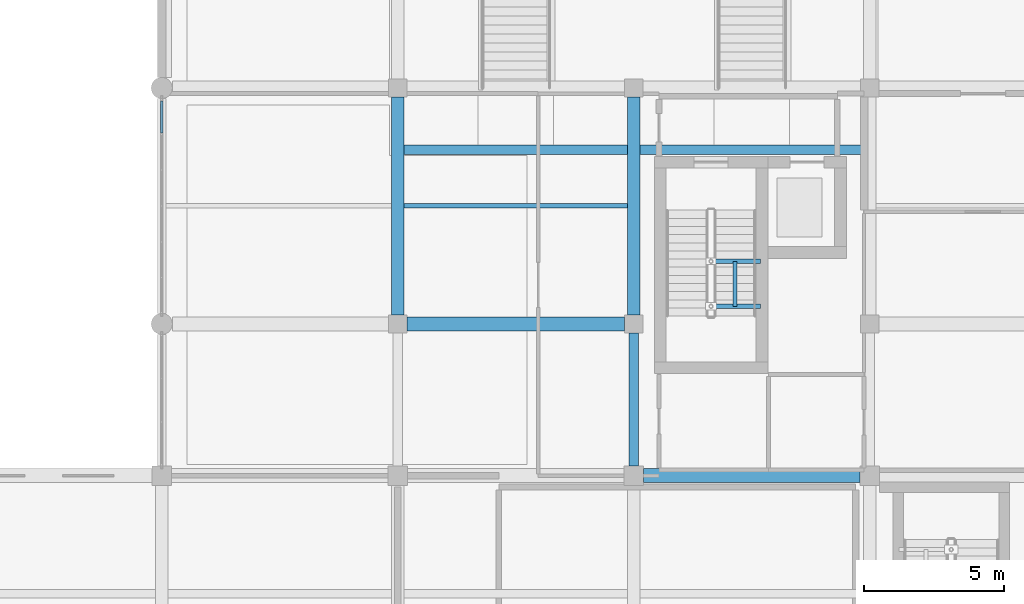
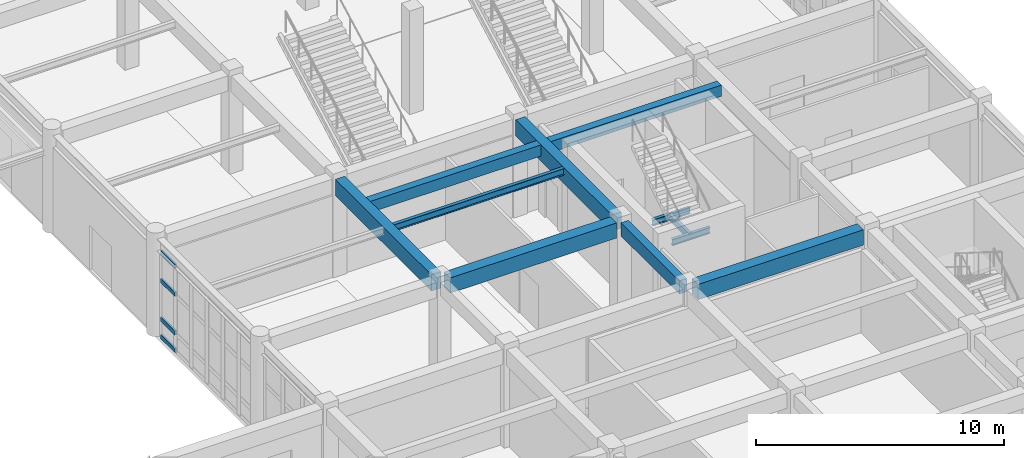
# One storey, part 19 of 80: 11 beams, 4 members, 1 element without a shape of its own.
"""IFC4 building model written with IfcOpenShell, lengths in metres."""

from ifc_helpers import new_model, si_unit, direction, frame, origin, origin_2d, place, context, subcontext, project, spatial, rectangle, hollow_rectangle, i_section, extrude, material, layer, layer_set, material_profile, profile_set, type_object, element, aggregate, save


model = new_model("IFC4")

# Units and contexts
model_context = context("Model", 3, precision=1e-05, world=origin(), true_north=direction((0.0, 1.0)))
body_context = subcontext(model_context, "Body", "Model", "MODEL_VIEW")
ifc_project = project(units=[si_unit("LENGTHUNIT", "METRE"), si_unit("AREAUNIT", "SQUARE_METRE"), si_unit("VOLUMEUNIT", "CUBIC_METRE"), si_unit("PLANEANGLEUNIT", "RADIAN"), si_unit("MASSUNIT", "GRAM", prefix="KILO")], contexts=[model_context])

# Site, building, storey
site_placement = place(None, origin())
site = spatial("IfcSite", under=ifc_project, at=site_placement, CompositionType="ELEMENT")
building_placement = place(site_placement, origin())
building = spatial("IfcBuilding", under=site, at=building_placement, Name="Krzemoval Escarpment Law Courts", CompositionType="ELEMENT")
storey_placement = place(building_placement, origin())
storey = spatial("IfcBuildingStorey", under=building, at=storey_placement, Name="L00", CompositionType="ELEMENT", Elevation=0.0)

# Beams
ifc_material_1 = material(Name="Concrete C40/50", Category="concrete")
ifc_material_profile_1 = material_profile(ifc_material_1, rectangle(XDim=0.35009765625, YDim=0.550048828125, at=origin_2d()), Name="RCB 350x550")
ifc_profile_set_1 = profile_set([ifc_material_profile_1], Name="Concrete C40/50")
beam_type_1 = type_object("IfcBeamType", Name="BM-RC-350x550", PredefinedType="BEAM", material=ifc_profile_set_1)
beam_1_placement = place(storey_placement, frame((17.02490234375, 47.0, 4.544921875), z_axis=(1.0, 0.0, 0.0), x_axis=(0.0, 1.0, 0.0)))
element("IfcBeam", 1, at=beam_1_placement, inside=storey, type_object=beam_type_1, Name="Beam FGT-L00-003", PredefinedType="BEAM", context=body_context, shape_type="SweptSolid", body=[
    extrude(rectangle(XDim=0.35009765625, YDim=0.550048828125, at=origin_2d()), origin(), (0.0, 0.0, 1.0), 7.9501953125),
])
beam_2_placement = place(storey_placement, frame((25.425048828125, 47.0, 4.544921875), z_axis=(1.0, 0.0, 0.0), x_axis=(0.0, 1.0, 0.0)))
element("IfcBeam", 2, at=beam_2_placement, inside=storey, type_object=beam_type_1, Name="Beam FGT-L00-004", PredefinedType="BEAM", context=body_context, shape_type="SweptSolid", body=[
    extrude(rectangle(XDim=0.35009765625, YDim=0.550048828125, at=origin_2d()), origin(), (0.0, 0.0, 1.0), 7.949951171875),
])
ifc_material_2 = material(Name="Concrete C40/50", Category="concrete")
ifc_material_profile_2 = material_profile(ifc_material_2, rectangle(XDim=0.35009765625, YDim=0.64990234375, at=origin_2d()), Name="RCB 350x650")
ifc_profile_set_2 = profile_set([ifc_material_profile_2], Name="Concrete C40/50")
beam_type_2 = type_object("IfcBeamType", Name="BM-RC-350x650", PredefinedType="BEAM", material=ifc_profile_set_2)
beam_3_placement = place(storey_placement, frame((25.199951171875, 35.75, 4.4951171875), z_axis=(0.0, 1.0, 0.0), x_axis=(-1.0, 0.0, 0.0)))
element("IfcBeam", 3, at=beam_3_placement, inside=storey, type_object=beam_type_2, Name="Beam FG-L00-0856", PredefinedType="BEAM", context=body_context, shape_type="SweptSolid", body=[
    extrude(rectangle(XDim=0.35009765625, YDim=0.64990234375, at=origin_2d()), origin(), (0.0, 0.0, 1.0), 4.72509765625),
])
ifc_material_3 = material(Name="Concrete C40/50", Category="concrete")
ifc_material_profile_3 = material_profile(ifc_material_3, rectangle(XDim=0.449951171875, YDim=0.800048828125, at=origin_2d()), Name="RCB 450x800")
ifc_profile_set_3 = profile_set([ifc_material_profile_3], Name="Concrete C40/50")
beam_type_3 = type_object("IfcBeamType", Name="BM-RC-450x800", PredefinedType="BEAM", material=ifc_profile_set_3)
for number, where, z_axis, x_axis, name in (
    (4, (16.800048828125, 41.125, 4.419921875), (0.0, 1.0, 0.0), (-1.0, 0.0, 0.0), "Beam FG-L00-0841"),
    (5, (25.199951171875, 41.125, 4.419921875), (0.0, 1.0, 0.0), (-1.0, 0.0, 0.0), "Beam FG-L00-0857"),
):
    element("IfcBeam", number, at=place(storey_placement, frame(where, z_axis=z_axis, x_axis=x_axis)), inside=storey, type_object=beam_type_3, Name=name, PredefinedType="BEAM", context=body_context, shape_type="SweptSolid", body=[
        extrude(rectangle(XDim=0.449951171875, YDim=0.800048828125, at=origin_2d()), origin(), (0.0, 0.0, 1.0), 7.75),
    ])
ifc_material_4 = material(Name="Concrete C40/50", Category="concrete")
ifc_material_profile_4 = material_profile(ifc_material_4, rectangle(XDim=0.5, YDim=0.75, at=origin_2d()), Name="RCB 500x750")
ifc_profile_set_4 = profile_set([ifc_material_profile_4], Name="Concrete C40/50")
beam_type_4 = type_object("IfcBeamType", Name="BM-RC-500x750", PredefinedType="BEAM", material=ifc_profile_set_4)
beam_4_placement = place(storey_placement, frame((25.550048828125, 35.39990234375, 4.445068359375), z_axis=(1.0, 0.0, 0.0), x_axis=(0.0, 1.0, 0.0)))
element("IfcBeam", 6, at=beam_4_placement, inside=storey, type_object=beam_type_4, Name="Beam FG-L00-0660", PredefinedType="BEAM", context=body_context, shape_type="SweptSolid", body=[
    extrude(rectangle(XDim=0.5, YDim=0.75, at=origin_2d()), origin(), (0.0, 0.0, 1.0), 7.699951171875),
])
beam_5_placement = place(storey_placement, frame((17.125, 40.800048828125, 4.445068359375), z_axis=(1.0, 0.0, 0.0), x_axis=(0.0, 1.0, 0.0)))
element("IfcBeam", 7, at=beam_5_placement, inside=storey, type_object=beam_type_4, Name="Beam FG-L00-0676", PredefinedType="BEAM", context=body_context, shape_type="SweptSolid", body=[
    extrude(rectangle(XDim=0.5, YDim=0.75, at=origin_2d()), origin(), (0.0, 0.0, 1.0), 7.75),
])

# Curtain wall, members
ifc_material_5 = material(Name="Aluminium 6063-T6", Category="aluminium")
ifc_layer = layer(ifc_material_5, 0.280029296875)
ifc_layer_set = layer_set([ifc_layer], Name="Aluminium 6063-T6")
curtain_wall_type = type_object("IfcCurtainWallType", Name="CW-HALL-5100", PredefinedType="USERDEFINED", material=ifc_layer_set)
curtain_wall_placement = place(storey_placement, origin())
curtain_wall = element("IfcCurtainWall", 8, at=curtain_wall_placement, inside=storey, type_object=curtain_wall_type, Name="Unitised Curtain Wall FCW-L00-002", ObjectType="UNITISED_CURTAIN_WALL", PredefinedType="USERDEFINED")
ifc_material_6 = material(Name="Aluminium 6063-T6", Category="aluminium")
ifc_material_profile_5 = material_profile(ifc_material_6, hollow_rectangle(XDim=0.0849609375, YDim=0.2099609375, WallThickness=0.005615234375, at=origin_2d()), Name="ALU T85x210")
ifc_profile_set_5 = profile_set([ifc_material_profile_5], Name="Aluminium 6063-T6")
member_type = type_object("IfcMemberType", Name="CWT-85x210", PredefinedType="USERDEFINED", material=ifc_profile_set_5)
member_1_placement = place(storey_placement, frame((8.39990234375, 47.592529296875, 0.04248046875), z_axis=(0.0, 1.0, 0.0), x_axis=(-1.0, 0.0, 0.0)))
member_1 = element("IfcMember", 9, at=member_1_placement, type_object=member_type, Name="FCW-L00-002 transom 6.1", ObjectType="TRANSOM", PredefinedType="USERDEFINED", context=body_context, shape_type="SweptSolid", body=[
    extrude(hollow_rectangle(XDim=0.0849609375, YDim=0.2099609375, WallThickness=0.005615234375, at=origin_2d()), origin(), (0.0, 0.0, 1.0), 1.1474609375),
])
member_2_placement = place(storey_placement, frame((8.39990234375, 47.592529296875, 0.89990234375), z_axis=(0.0, 1.0, 0.0), x_axis=(-1.0, 0.0, 0.0)))
member_2 = element("IfcMember", 10, at=member_2_placement, type_object=member_type, Name="FCW-L00-002 transom 6.2", ObjectType="TRANSOM", PredefinedType="USERDEFINED", context=body_context, shape_type="SweptSolid", body=[
    extrude(hollow_rectangle(XDim=0.0849609375, YDim=0.2099609375, WallThickness=0.005615234375, at=origin_2d()), origin(), (0.0, 0.0, 1.0), 1.1474609375),
])
member_3_placement = place(storey_placement, frame((8.39990234375, 47.592529296875, 2.800048828125), z_axis=(0.0, 1.0, 0.0), x_axis=(-1.0, 0.0, 0.0)))
member_3 = element("IfcMember", 11, at=member_3_placement, type_object=member_type, Name="FCW-L00-002 transom 6.3", ObjectType="TRANSOM", PredefinedType="USERDEFINED", context=body_context, shape_type="SweptSolid", body=[
    extrude(hollow_rectangle(XDim=0.0849609375, YDim=0.2099609375, WallThickness=0.005615234375, at=origin_2d()), origin(), (0.0, 0.0, 1.0), 1.1474609375),
])
member_4_placement = place(storey_placement, frame((8.39990234375, 47.592529296875, 4.177490234375), z_axis=(0.0, 1.0, 0.0), x_axis=(-1.0, 0.0, 0.0)))
member_4 = element("IfcMember", 12, at=member_4_placement, type_object=member_type, Name="FCW-L00-002 transom 6.4", ObjectType="TRANSOM", PredefinedType="USERDEFINED", context=body_context, shape_type="SweptSolid", body=[
    extrude(hollow_rectangle(XDim=0.0849609375, YDim=0.2099609375, WallThickness=0.005615234375, at=origin_2d()), origin(), (0.0, 0.0, 1.0), 1.1474609375),
])
aggregate(curtain_wall, [member_1, member_2, member_3, member_4])

# Beams
ifc_material_7 = material(Name="Steel S355", Category="steel")
ifc_material_profile_6 = material_profile(ifc_material_7, i_section(OverallWidth=0.14990234375, OverallDepth=0.300048828125, WebThickness=0.007080078125, FlangeThickness=0.0107421875, at=origin_2d()), Name="IPE 300")
ifc_profile_set_6 = profile_set([ifc_material_profile_6], Name="Steel S355")
beam_type_5 = type_object("IfcBeamType", Name="JST-S355-IPE300", PredefinedType="JOIST", material=ifc_profile_set_6)
for number, where, z_axis, x_axis, name in (
    (13, (27.949951171875, 41.429931640625, 2.27001953125), (1.0, 0.0, 0.0), (0.0, 1.0, 0.0), "Stair Well Crosshead SLHW-C5-L00-1"),
    (14, (27.949951171875, 43.030029296875, 2.27001953125), (1.0, 0.0, 0.0), (0.0, 1.0, 0.0), "Stair Well Crosshead SLHW-C5-L00-2"),
):
    element("IfcBeam", number, at=place(storey_placement, frame(where, z_axis=z_axis, x_axis=x_axis)), inside=storey, type_object=beam_type_5, Name=name, PredefinedType="JOIST", context=body_context, shape_type="SweptSolid", body=[
        extrude(i_section(OverallWidth=0.14990234375, OverallDepth=0.300048828125, WebThickness=0.007080078125, FlangeThickness=0.0107421875, at=origin_2d()), origin(), (0.0, 0.0, 1.0), 1.760009765625),
    ])
beam_6_placement = place(storey_placement, frame((28.800048828125, 41.429931640625, 2.27001953125), z_axis=(0.0, 1.0, 0.0), x_axis=(-1.0, 0.0, 0.0)))
element("IfcBeam", 15, at=beam_6_placement, inside=storey, type_object=beam_type_5, Name="Stair Flight Support Stringer SLTW-C5-L00", PredefinedType="JOIST", context=body_context, shape_type="SweptSolid", body=[
    extrude(i_section(OverallWidth=0.14990234375, OverallDepth=0.300048828125, WebThickness=0.007080078125, FlangeThickness=0.0107421875, at=origin_2d()), origin(), (0.0, 0.0, 1.0), 1.60009765625),
])
ifc_material_8 = material(Name="Steel S355", Category="steel")
ifc_material_profile_7 = material_profile(ifc_material_8, i_section(OverallWidth=0.159912109375, OverallDepth=0.330078125, WebThickness=0.007568359375, FlangeThickness=0.011474609375, at=origin_2d()), Name="IPE 330")
ifc_profile_set_7 = profile_set([ifc_material_profile_7], Name="Steel S355")
beam_type_6 = type_object("IfcBeamType", Name="JST-S355-IPE330", PredefinedType="JOIST", material=ifc_profile_set_7)
beam_7_placement = place(storey_placement, frame((17.02490234375, 45.0, 4.655029296875), z_axis=(1.0, 0.0, 0.0), x_axis=(0.0, 1.0, 0.0)))
element("IfcBeam", 16, at=beam_7_placement, inside=storey, type_object=beam_type_6, Name="Secondary Joist FJ-L00-1057", PredefinedType="JOIST", context=body_context, shape_type="SweptSolid", body=[
    extrude(i_section(OverallWidth=0.159912109375, OverallDepth=0.330078125, WebThickness=0.007568359375, FlangeThickness=0.011474609375, at=origin_2d()), origin(), (0.0, 0.0, 1.0), 7.9501953125),
])

save(model, "model.ifc")
